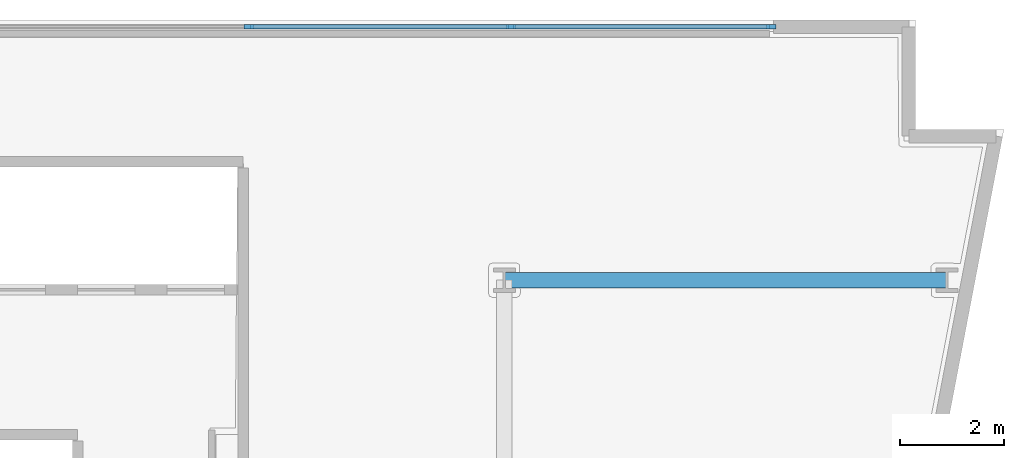
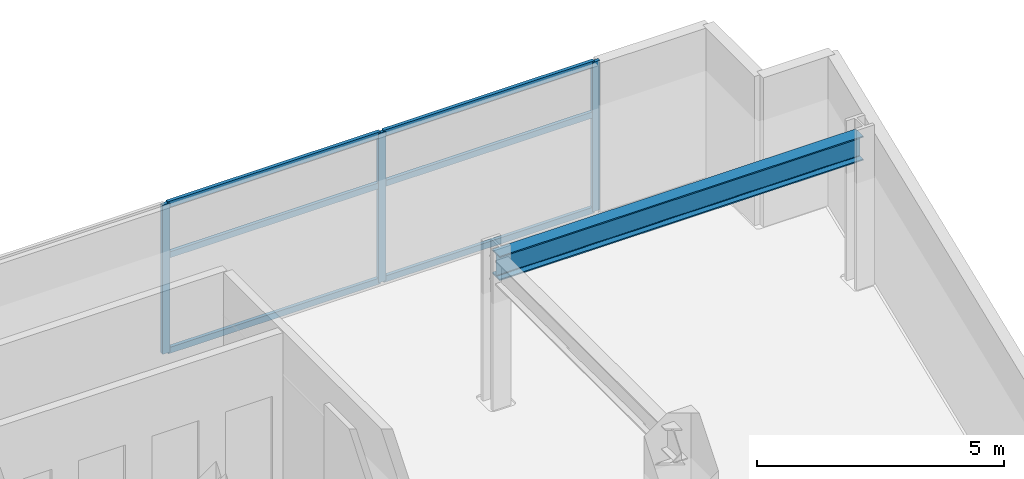
# One storey, part 4 of 13: 9 members, 1 beam, 1 element without a shape of its own.
"""IFC4 building model written with IfcOpenShell, lengths in metres."""

from ifc_helpers import new_model, si_unit, direction, frame, origin, origin_2d, place, context, subcontext, project, spatial, rectangle, i_section, extrude, material, layer, layer_set, material_profile, profile_set, type_object, element, aggregate, save


model = new_model("IFC4")

# Units and contexts
model_context = context("Model", 3, precision=1e-05, world=origin(), true_north=direction((0.0, 1.0)))
body_context = subcontext(model_context, "Body", "Model", "MODEL_VIEW")
ifc_project = project(units=[si_unit("LENGTHUNIT", "METRE"), si_unit("AREAUNIT", "SQUARE_METRE"), si_unit("VOLUMEUNIT", "CUBIC_METRE"), si_unit("PLANEANGLEUNIT", "RADIAN"), si_unit("MASSUNIT", "GRAM", prefix="KILO")], contexts=[model_context])

# Site, building, storey
site_placement = place(None, origin())
site = spatial("IfcSite", under=ifc_project, at=site_placement, CompositionType="ELEMENT")
building_placement = place(site_placement, origin())
building = spatial("IfcBuilding", under=site, at=building_placement, Name="Caeloran Harvest Quay", CompositionType="ELEMENT")
storey_placement = place(building_placement, frame((0.0, 0.0, 158.800048828125)))
storey = spatial("IfcBuildingStorey", under=building, at=storey_placement, Name="L37", CompositionType="ELEMENT", Elevation=158.800048828125)

# Beam
ifc_material_1 = material(Name="Steel S355J2", Category="steel")
ifc_material_profile_1 = material_profile(ifc_material_1, i_section(OverallWidth=0.300048828125, OverallDepth=0.60009765625, WebThickness=0.015380859375, FlangeThickness=0.030029296875, FilletRadius=0.027099609375, at=origin_2d()), Name="HE 600 B")
ifc_profile_set_1 = profile_set([ifc_material_profile_1], Name="Steel S355J2")
beam_type = type_object("IfcBeamType", Name="BM-PG-3-HE_600_B", PredefinedType="BEAM", material=ifc_profile_set_1)
beam_placement = place(storey_placement, frame((42.5, 38.5, 3.389892578125), z_axis=(1.0, 0.0, 0.0), x_axis=(0.0, 1.0, 0.0)))
element("IfcBeam", 1, at=beam_placement, inside=storey, type_object=beam_type, Name="L37 Primary East-West Girder Y=38.5", PredefinedType="BEAM", context=body_context, shape_type="SweptSolid", body=[
    extrude(i_section(OverallWidth=0.300048828125, OverallDepth=0.60009765625, WebThickness=0.015380859375, FlangeThickness=0.030029296875, FilletRadius=0.027099609375, at=origin_2d()), origin(), (0.0, 0.0, 1.0), 8.5),
])

# Curtain wall, members
ifc_material_2 = material(Name="Aluminium 6063-T6 and Low-E Glazing", Category="aluminium")
ifc_layer = layer(ifc_material_2, 0.22998046875, Name="Aluminium 6063-T6 and Low-E Glazing")
ifc_layer_set = layer_set([ifc_layer], Name="Aluminium 6063-T6 and Low-E Glazing")
curtain_wall_type = type_object("IfcCurtainWallType", Name="CW-SYS-CW-6", PredefinedType="USERDEFINED", material=ifc_layer_set)
curtain_wall_placement = place(storey_placement, origin())
curtain_wall = element("IfcCurtainWall", 2, at=curtain_wall_placement, inside=storey, type_object=curtain_wall_type, Name="L37 Unitised Curtain Wall CW-6 Run 6", ObjectType="CURTAIN_WALL", PredefinedType="USERDEFINED")
ifc_material_3 = material(Name="Aluminium 6063-T6", Category="aluminium")
ifc_material_profile_2 = material_profile(ifc_material_3, rectangle(XDim=0.080078125, YDim=0.179931640625, at=origin_2d()), Name="CW-MULLION-180")
ifc_profile_set_2 = profile_set([ifc_material_profile_2], Name="Aluminium 6063-T6")
member_type_1 = type_object("IfcMemberType", Name="CW-MULLION-180", PredefinedType="MULLION", material=ifc_profile_set_2)
member_1_placement = place(storey_placement, frame((37.5849609375, 43.3701171875, 0.0), z_axis=(0.0, 0.0, 1.0), x_axis=(0.0, 1.0, 0.0)))
member_1 = element("IfcMember", 3, at=member_1_placement, type_object=member_type_1, Name="CW-6 mullion 7", PredefinedType="MULLION", context=body_context, shape_type="SweptSolid", body=[
    extrude(rectangle(XDim=0.080078125, YDim=0.179931640625, at=origin_2d()), origin(), (0.0, 0.0, 1.0), 3.68994140625),
])
member_2_placement = place(storey_placement, frame((42.62744140625, 43.3701171875, 0.0), z_axis=(0.0, 0.0, 1.0), x_axis=(0.0, 1.0, 0.0)))
member_2 = element("IfcMember", 4, at=member_2_placement, type_object=member_type_1, Name="CW-6 mullion 8", PredefinedType="MULLION", context=body_context, shape_type="SweptSolid", body=[
    extrude(rectangle(XDim=0.080078125, YDim=0.179931640625, at=origin_2d()), origin(), (0.0, 0.0, 1.0), 3.68994140625),
])
member_3_placement = place(storey_placement, frame((47.6298828125, 43.3701171875, 0.0), z_axis=(0.0, 0.0, 1.0), x_axis=(0.0, 1.0, 0.0)))
member_3 = element("IfcMember", 5, at=member_3_placement, type_object=member_type_1, Name="CW-6 mullion 9", PredefinedType="MULLION", context=body_context, shape_type="SweptSolid", body=[
    extrude(rectangle(XDim=0.080078125, YDim=0.179931640625, at=origin_2d()), origin(), (0.0, 0.0, 1.0), 3.68994140625),
])
ifc_material_profile_3 = material_profile(ifc_material_3, rectangle(XDim=0.080078125, YDim=0.14990234375, at=origin_2d()), Name="CW-TRANSOM-150")
ifc_profile_set_3 = profile_set([ifc_material_profile_3], Name="Aluminium 6063-T6")
member_type_2 = type_object("IfcMemberType", Name="CW-TRANSOM-150", PredefinedType="USERDEFINED", material=ifc_profile_set_3)
member_4_placement = place(storey_placement, frame((37.625, 43.3701171875, 0.0400390625), z_axis=(1.0, 0.0, 0.0), x_axis=(0.0, 1.0, 0.0)))
member_4 = element("IfcMember", 6, at=member_4_placement, type_object=member_type_2, Name="CW-6 transom 7.1", ObjectType="TRANSOM", PredefinedType="USERDEFINED", context=body_context, shape_type="SweptSolid", body=[
    extrude(rectangle(XDim=0.080078125, YDim=0.14990234375, at=origin_2d()), origin(), (0.0, 0.0, 1.0), 4.96240234375),
])
member_5_placement = place(storey_placement, frame((37.625, 43.3701171875, 2.39990234375), z_axis=(1.0, 0.0, 0.0), x_axis=(0.0, 1.0, 0.0)))
member_5 = element("IfcMember", 7, at=member_5_placement, type_object=member_type_2, Name="CW-6 transom 7.2", ObjectType="TRANSOM", PredefinedType="USERDEFINED", context=body_context, shape_type="SweptSolid", body=[
    extrude(rectangle(XDim=0.080078125, YDim=0.14990234375, at=origin_2d()), origin(), (0.0, 0.0, 1.0), 4.96240234375),
])
member_6_placement = place(storey_placement, frame((37.625, 43.3701171875, 3.64990234375), z_axis=(1.0, 0.0, 0.0), x_axis=(0.0, 1.0, 0.0)))
member_6 = element("IfcMember", 8, at=member_6_placement, type_object=member_type_2, Name="CW-6 transom 7.3", ObjectType="TRANSOM", PredefinedType="USERDEFINED", context=body_context, shape_type="SweptSolid", body=[
    extrude(rectangle(XDim=0.080078125, YDim=0.14990234375, at=origin_2d()), origin(), (0.0, 0.0, 1.0), 4.96240234375),
])
member_7_placement = place(storey_placement, frame((42.66748046875, 43.3701171875, 0.0400390625), z_axis=(1.0, 0.0, 0.0), x_axis=(0.0, 1.0, 0.0)))
member_7 = element("IfcMember", 9, at=member_7_placement, type_object=member_type_2, Name="CW-6 transom 8.1", ObjectType="TRANSOM", PredefinedType="USERDEFINED", context=body_context, shape_type="SweptSolid", body=[
    extrude(rectangle(XDim=0.080078125, YDim=0.14990234375, at=origin_2d()), origin(), (0.0, 0.0, 1.0), 4.922607421875),
])
member_8_placement = place(storey_placement, frame((42.66748046875, 43.3701171875, 2.39990234375), z_axis=(1.0, 0.0, 0.0), x_axis=(0.0, 1.0, 0.0)))
member_8 = element("IfcMember", 10, at=member_8_placement, type_object=member_type_2, Name="CW-6 transom 8.2", ObjectType="TRANSOM", PredefinedType="USERDEFINED", context=body_context, shape_type="SweptSolid", body=[
    extrude(rectangle(XDim=0.080078125, YDim=0.14990234375, at=origin_2d()), origin(), (0.0, 0.0, 1.0), 4.922607421875),
])
member_9_placement = place(storey_placement, frame((42.66748046875, 43.3701171875, 3.64990234375), z_axis=(1.0, 0.0, 0.0), x_axis=(0.0, 1.0, 0.0)))
member_9 = element("IfcMember", 11, at=member_9_placement, type_object=member_type_2, Name="CW-6 transom 8.3", ObjectType="TRANSOM", PredefinedType="USERDEFINED", context=body_context, shape_type="SweptSolid", body=[
    extrude(rectangle(XDim=0.080078125, YDim=0.14990234375, at=origin_2d()), origin(), (0.0, 0.0, 1.0), 4.922607421875),
])
aggregate(curtain_wall, [member_1, member_2, member_3, member_4, member_5, member_6, member_7, member_8, member_9])

save(model, "model.ifc")
